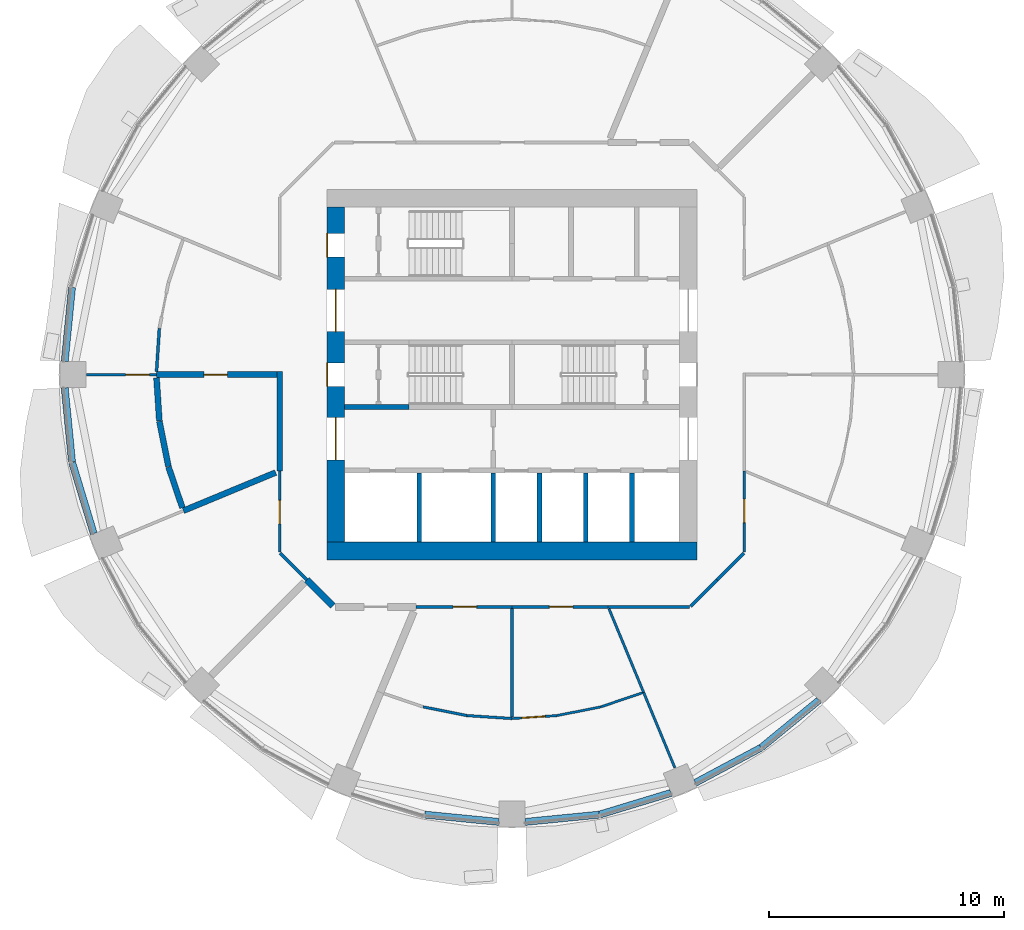
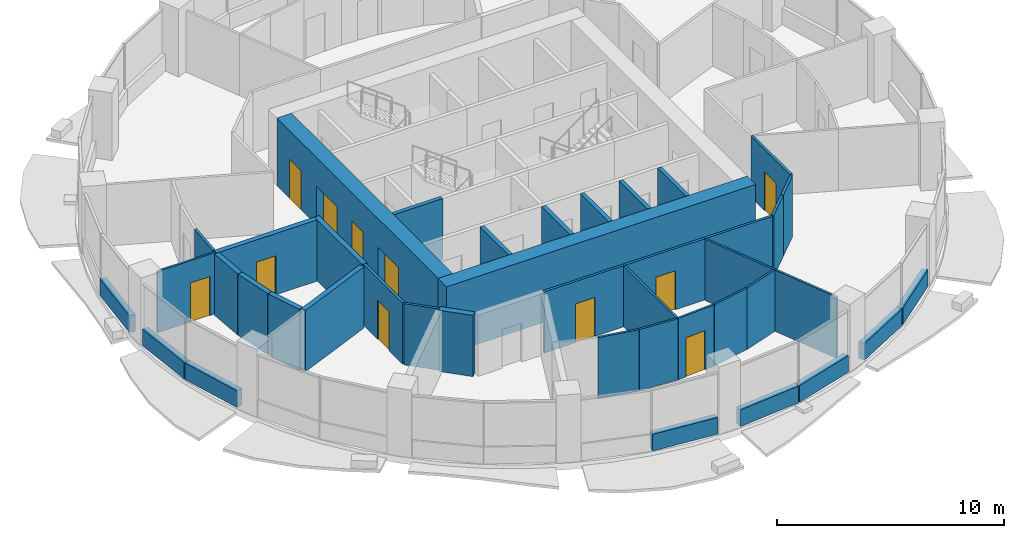
# One storey, part 7 of 14: 41 walls, 11 doors, 11 openings.
"""IFC4 building model written with IfcOpenShell, lengths in metres."""

from ifc_helpers import new_model, si_unit, direction, frame, frame_2d, origin, place, context, subcontext, project, spatial, rectangle, extrude, material, layer, layer_set, type_object, element, fill, save


model = new_model("IFC4")

# Units and contexts
model_context = context("Model", 3, precision=1e-05, world=origin(), true_north=direction((0.0, 1.0)))
body_context = subcontext(model_context, "Body", "Model", "MODEL_VIEW")
ifc_project = project(units=[si_unit("LENGTHUNIT", "METRE"), si_unit("AREAUNIT", "SQUARE_METRE"), si_unit("VOLUMEUNIT", "CUBIC_METRE"), si_unit("PLANEANGLEUNIT", "RADIAN"), si_unit("MASSUNIT", "GRAM", prefix="KILO")], contexts=[model_context])

# Site, building, storey
site_placement = place(None, origin())
site = spatial("IfcSite", under=ifc_project, at=site_placement, CompositionType="ELEMENT")
building_placement = place(site_placement, origin())
building = spatial("IfcBuilding", under=site, at=building_placement, Name="Polderwave Tower", CompositionType="ELEMENT")
storey_placement = place(building_placement, frame((0.0, 0.0, 94.64990234375)))
storey = spatial("IfcBuildingStorey", under=building, at=storey_placement, Name="L24", CompositionType="ELEMENT", Elevation=94.64990234375)

# Wall
ifc_material_1 = material(Name="Concrete C70/85", Category="concrete")
ifc_layer_1 = layer(ifc_material_1, 0.75)
ifc_layer_set_1 = layer_set([ifc_layer_1], Name="CORE WALL 750 C70/85")
wall_type_1 = type_object("IfcWallType", Name="CORE WALL 750 C70/85", PredefinedType="SHEAR", material=ifc_layer_set_1)
wall_1_placement = place(storey_placement, frame((-7.8740234375, -7.4990234375, 0.0), z_axis=(0.0, 0.0, 1.0), x_axis=(1.0, 0.0, 0.0)))
element("IfcWall", 1, at=wall_1_placement, inside=storey, type_object=wall_type_1, Name="ST-CORE-L24-S", PredefinedType="SHEAR", context=body_context, shape_type="SweptSolid", body=[
    extrude(rectangle(XDim=15.748046875, YDim=0.75, at=frame_2d((7.8740234375, 0.0))), origin(), (0.0, 0.0, 1.0), 3.650146484375),
])

# Wall, openings, doors
wall_2_placement = place(storey_placement, frame((-7.4990234375, -7.1240234375, 0.0), z_axis=(0.0, 0.0, 1.0), x_axis=(0.0, 1.0, 0.0)))
wall_2 = element("IfcWall", 2, at=wall_2_placement, inside=storey, type_object=wall_type_1, Name="ST-CORE-L24-W", PredefinedType="SHEAR", context=body_context, shape_type="SweptSolid", body=[
    extrude(rectangle(XDim=14.248046875, YDim=0.75, at=frame_2d((7.1240234375, 0.0))), origin(), (0.0, 0.0, 1.0), 3.650146484375),
])
opening_1_placement = place(wall_2_placement, frame((6.6240234375, 0.0, 0.0)))
opening_1 = element("IfcOpeningElement", 3, at=opening_1_placement, cuts=wall_2, Name="Opening L24-D17", PredefinedType="OPENING", context=body_context, shape_type="SweptSolid", body=[
    extrude(rectangle(XDim=1.0, YDim=2.10009765625, at=frame_2d((0.5, 1.050048828125))), frame((0.0, 0.385009765625, 0.0), z_axis=(0.0, -1.0, 0.0), x_axis=(1.0, 0.0, 0.0)), (0.0, 0.0, 1.0), 0.77001953125),
])
opening_2_placement = place(wall_2_placement, frame((3.49951171875, 0.0, 0.0)))
opening_2 = element("IfcOpeningElement", 4, at=opening_2_placement, cuts=wall_2, Name="Opening L24-D18", PredefinedType="OPENING", context=body_context, shape_type="SweptSolid", body=[
    extrude(rectangle(XDim=1.800048828125, YDim=2.10009765625, at=frame_2d((0.89990234375, 1.050048828125))), frame((0.0, 0.385009765625, 0.0), z_axis=(0.0, -1.0, 0.0), x_axis=(1.0, 0.0, 0.0)), (0.0, 0.0, 1.0), 0.77001953125),
])
opening_3_placement = place(wall_2_placement, frame((8.948486328125, 0.0, 0.0)))
opening_3 = element("IfcOpeningElement", 5, at=opening_3_placement, cuts=wall_2, Name="Opening L24-D19", PredefinedType="OPENING", context=body_context, shape_type="SweptSolid", body=[
    extrude(rectangle(XDim=1.800048828125, YDim=2.10009765625, at=frame_2d((0.89990234375, 1.050048828125))), frame((0.0, 0.385009765625, 0.0), z_axis=(0.0, -1.0, 0.0), x_axis=(1.0, 0.0, 0.0)), (0.0, 0.0, 1.0), 0.77001953125),
])
opening_4_placement = place(wall_2_placement, frame((12.1240234375, 0.0, 0.0)))
opening_4 = element("IfcOpeningElement", 6, at=opening_4_placement, cuts=wall_2, Name="Opening L24-D20", PredefinedType="OPENING", context=body_context, shape_type="SweptSolid", body=[
    extrude(rectangle(XDim=1.0, YDim=2.10009765625, at=frame_2d((0.5, 1.050048828125))), frame((0.0, 0.385009765625, 0.0), z_axis=(0.0, -1.0, 0.0), x_axis=(1.0, 0.0, 0.0)), (0.0, 0.0, 1.0), 0.77001953125),
])
ifc_material_2 = material(Name="Steel fire door", Category="steel")
door_type_1 = type_object("IfcDoorType", Name="Lobby entry door pair 1800", OperationType="DOUBLE_DOOR_SINGLE_SWING", PredefinedType="DOOR", material=ifc_material_2)
door_1_placement = place(opening_2_placement, origin())
door_1 = element("IfcDoor", 7, at=door_1_placement, inside=storey, type_object=door_type_1, Name="Fire-fighting lobby entry door", OperationType="DOUBLE_DOOR_SINGLE_SWING", OverallHeight=2.10009765625, OverallWidth=1.800048828125, PredefinedType="DOOR", context=body_context, shape_type="SweptSolid", body=[
    extrude(rectangle(XDim=1.800048828125, YDim=2.10009765625, at=frame_2d((0.89990234375, 1.050048828125))), frame((0.0, 0.02490234375, 0.0), z_axis=(0.0, -1.0, 0.0), x_axis=(1.0, 0.0, 0.0)), (0.0, 0.0, 1.0), 0.050048828125),
])
fill(opening_2, door_1)
door_2_placement = place(opening_3_placement, origin())
door_2 = element("IfcDoor", 8, at=door_2_placement, inside=storey, type_object=door_type_1, Name="North lobby entry door", OperationType="DOUBLE_DOOR_SINGLE_SWING", OverallHeight=2.10009765625, OverallWidth=1.800048828125, PredefinedType="DOOR", context=body_context, shape_type="SweptSolid", body=[
    extrude(rectangle(XDim=1.800048828125, YDim=2.10009765625, at=frame_2d((0.89990234375, 1.050048828125))), frame((0.0, 0.02490234375, 0.0), z_axis=(0.0, -1.0, 0.0), x_axis=(1.0, 0.0, 0.0)), (0.0, 0.0, 1.0), 0.050048828125),
])
fill(opening_3, door_2)
door_type_2 = type_object("IfcDoorType", Name="Stair door 1000", OperationType="NOTDEFINED", PredefinedType="DOOR", material=ifc_material_2)
door_3_placement = place(opening_1_placement, origin())
door_3 = element("IfcDoor", 9, at=door_3_placement, inside=storey, type_object=door_type_2, Name="Stair A entry door", OperationType="SINGLE_SWING_RIGHT", OverallHeight=2.10009765625, OverallWidth=1.0, PredefinedType="DOOR", context=body_context, shape_type="SweptSolid", body=[
    extrude(rectangle(XDim=1.0, YDim=2.10009765625, at=frame_2d((0.5, 1.050048828125))), frame((0.0, 0.375, 0.0), z_axis=(0.0, -1.0, 0.0), x_axis=(1.0, 0.0, 0.0)), (0.0, 0.0, 1.0), 0.050048828125),
])
fill(opening_1, door_3)
door_4_placement = place(opening_4_placement, origin())
door_4 = element("IfcDoor", 10, at=door_4_placement, inside=storey, type_object=door_type_2, Name="Stair C entry door", OperationType="SINGLE_SWING_RIGHT", OverallHeight=2.10009765625, OverallWidth=1.0, PredefinedType="DOOR", context=body_context, shape_type="SweptSolid", body=[
    extrude(rectangle(XDim=1.0, YDim=2.10009765625, at=frame_2d((0.5, 1.050048828125))), frame((0.0, 0.375, 0.0), z_axis=(0.0, -1.0, 0.0), x_axis=(1.0, 0.0, 0.0)), (0.0, 0.0, 1.0), 0.050048828125),
])
fill(opening_4, door_4)

# Walls
ifc_material_3 = material(Name="Insulated sandwich panel")
ifc_layer_2 = layer(ifc_material_3, 0.300048828125)
ifc_layer_set_2 = layer_set([ifc_layer_2], Name="Cold room wall 300 mm insulated panel")
wall_type_2 = type_object("IfcWallType", Name="Cold room wall 300 mm insulated panel", PredefinedType="PARTITIONING", material=ifc_layer_set_2)
wall_3_placement = place(storey_placement, frame((-7.614990234375, -9.830078125, 0.0), z_axis=(0.0, 0.0, 1.0), x_axis=(-0.707028841614, 0.70718471217, 0.0)))
element("IfcWall", 11, at=wall_3_placement, inside=storey, type_object=wall_type_2, Name="IN-L24-W016", PredefinedType="PARTITIONING", context=body_context, shape_type="SweptSolid", body=[
    extrude(rectangle(XDim=1.56640625, YDim=0.300048828125, at=frame_2d((0.783203125, 0.0))), origin(), (0.0, 0.0, 1.0), 3.300048828125),
])
ifc_material_4 = material(Name="Concrete C50/60 (board-marked)", Category="concrete")
ifc_layer_3 = layer(ifc_material_4, 0.300048828125)
ifc_layer_set_3 = layer_set([ifc_layer_3], Name="Concrete spandrel upstand C50/60")
wall_type_3 = type_object("IfcWallType", Name="Concrete spandrel upstand C50/60", PredefinedType="SOLIDWALL", material=ifc_layer_set_3)
for number, where, z_axis, x_axis, name in (
    (12, (-18.70556640625, 3.705078125, 0.0), (0.0, 0.0, 1.0), (-0.097849336863, -0.995201239587, 0.0), "Spandrel L24 8b"),
    (13, (-19.014404296875, -0.56396484375, 0.0), (0.0, 0.0, 1.0), (0.097849336863, -0.995201239587, 0.0), "Spandrel L24 9a"),
):
    element("IfcWall", number, at=place(storey_placement, frame(where, z_axis=z_axis, x_axis=x_axis)), inside=storey, type_object=wall_type_3, Name=name, PredefinedType="SOLIDWALL", context=body_context, shape_type="SweptSolid", body=[
        extrude(rectangle(XDim=3.15625, YDim=0.300048828125, at=frame_2d((1.578125, 0.0))), origin(), (0.0, 0.0, 1.0), 0.900146484375),
    ])
wall_4_placement = place(storey_placement, frame((-18.69970703125, -3.734375, 0.0), z_axis=(0.0, 0.0, 1.0), x_axis=(0.290503096001, -0.956874051907, 0.0)))
element("IfcWall", 14, at=wall_4_placement, inside=storey, type_object=wall_type_3, Name="Spandrel L24 9b", PredefinedType="SOLIDWALL", context=body_context, shape_type="SweptSolid", body=[
    extrude(rectangle(XDim=3.157470703125, YDim=0.300048828125, at=frame_2d((1.57861328125, 0.0))), origin(), (0.0, 0.0, 1.0), 0.900146484375),
])
for number, where, z_axis, x_axis, name in (
    (15, (-3.705078125, -18.70556640625, 0.0), (0.0, 0.0, 1.0), (0.995201239587, -0.097849336863, 0.0), "Spandrel L24 12b"),
    (16, (0.56396484375, -19.014404296875, 0.0), (0.0, 0.0, 1.0), (0.995201239587, 0.097849336863, 0.0), "Spandrel L24 13a"),
):
    element("IfcWall", number, at=place(storey_placement, frame(where, z_axis=z_axis, x_axis=x_axis)), inside=storey, type_object=wall_type_3, Name=name, PredefinedType="SOLIDWALL", context=body_context, shape_type="SweptSolid", body=[
        extrude(rectangle(XDim=3.15625, YDim=0.300048828125, at=frame_2d((1.578125, 0.0))), origin(), (0.0, 0.0, 1.0), 0.900146484375),
    ])
wall_5_placement = place(storey_placement, frame((3.734375, -18.69970703125, 0.0), z_axis=(0.0, 0.0, 1.0), x_axis=(0.956874051907, 0.290503096001, 0.0)))
element("IfcWall", 17, at=wall_5_placement, inside=storey, type_object=wall_type_3, Name="Spandrel L24 13b", PredefinedType="SOLIDWALL", context=body_context, shape_type="SweptSolid", body=[
    extrude(rectangle(XDim=3.157470703125, YDim=0.300048828125, at=frame_2d((1.57861328125, 0.0))), origin(), (0.0, 0.0, 1.0), 0.900146484375),
])
for number, where, z_axis, x_axis, name in (
    (18, (7.797119140625, -17.350830078125, 0.0), (0.0, 0.0, 1.0), (0.882005928597, 0.471238306932, 0.0), "Spandrel L24 14a"),
    (19, (10.606689453125, -15.846435546875, 0.0), (0.0, 0.0, 1.0), (0.773022810229, 0.63437822698, 0.0), "Spandrel L24 14b"),
):
    element("IfcWall", number, at=place(storey_placement, frame(where, z_axis=z_axis, x_axis=x_axis)), inside=storey, type_object=wall_type_3, Name=name, PredefinedType="SOLIDWALL", context=body_context, shape_type="SweptSolid", body=[
        extrude(rectangle(XDim=3.1572265625, YDim=0.300048828125, at=frame_2d((1.57861328125, 0.0))), origin(), (0.0, 0.0, 1.0), 0.900146484375),
    ])
ifc_material_5 = material(Name="Concrete C50/60", Category="concrete")
ifc_layer_4 = layer(ifc_material_5, 0.199951171875)
ifc_layer_set_4 = layer_set([ifc_layer_4], Name="Core web wall 200")
wall_type_4 = type_object("IfcWallType", Name="Core web wall 200", PredefinedType="SHEAR", material=ifc_layer_set_4)
wall_6_placement = place(storey_placement, frame((-7.1240234375, -1.375, 0.0), z_axis=(0.0, 0.0, 1.0), x_axis=(1.0, 0.0, 0.0)))
element("IfcWall", 20, at=wall_6_placement, inside=storey, type_object=wall_type_4, Name="L24 south stair wall 1", PredefinedType="SHEAR", context=body_context, shape_type="SweptSolid", body=[
    extrude(rectangle(XDim=2.75, YDim=0.199951171875, at=frame_2d((1.375, 0.0))), origin(), (0.0, 0.0, 1.0), 3.300048828125),
])
ifc_material_6 = material(Name="Fire-resisting board on steel studs", Category="steel")
ifc_layer_5 = layer(ifc_material_6, 0.125)
ifc_layer_set_5 = layer_set([ifc_layer_5], Name="Corridor wall 125 mm EI 60")
wall_type_5 = type_object("IfcWallType", Name="Corridor wall 125 mm EI 60", PredefinedType="PARTITIONING", material=ifc_layer_set_5)
wall_7_placement = place(storey_placement, frame((9.855712890625, -7.58935546875, 0.0), z_axis=(0.0, 0.0, 1.0), x_axis=(-0.70718294931, -0.707030604857, 0.0)))
element("IfcWall", 21, at=wall_7_placement, inside=storey, type_object=wall_type_5, Name="IN-L24-W003", PredefinedType="PARTITIONING", context=body_context, shape_type="SweptSolid", body=[
    extrude(rectangle(XDim=1.6025390625, YDim=0.125, at=frame_2d((0.80126953125, 0.0))), origin(), (0.0, 0.0, 1.0), 3.300048828125),
])

# Wall, opening, door
wall_8_placement = place(storey_placement, frame((9.8740234375, -4.08984375, 0.0), z_axis=(0.0, 0.0, 1.0), x_axis=(0.0, -1.0, 0.0)))
wall_8 = element("IfcWall", 22, at=wall_8_placement, inside=storey, type_object=wall_type_5, Name="IN-L24-W004", PredefinedType="PARTITIONING", context=body_context, shape_type="SweptSolid", body=[
    extrude(rectangle(XDim=3.455322265625, YDim=0.125, at=frame_2d((1.7275390625, 0.0))), origin(), (0.0, 0.0, 1.0), 3.300048828125),
])
opening_5_placement = place(wall_8_placement, frame((1.199951171875, 0.0, 0.0)))
opening_5 = element("IfcOpeningElement", 23, at=opening_5_placement, cuts=wall_8, Name="Opening L24-D51", PredefinedType="OPENING", context=body_context, shape_type="SweptSolid", body=[
    extrude(rectangle(XDim=1.0, YDim=2.10009765625, at=frame_2d((0.5, 1.050048828125))), frame((0.0, 0.072509765625, 0.0), z_axis=(0.0, -1.0, 0.0), x_axis=(1.0, 0.0, 0.0)), (0.0, 0.0, 1.0), 0.14501953125),
])
ifc_material_7 = material(Name="Timber fire door leaf", Category="wood")
door_type_3 = type_object("IfcDoorType", Name="Fire door FD30S 1000 x 2100", OperationType="NOTDEFINED", PredefinedType="DOOR", material=ifc_material_7)
door_5_placement = place(opening_5_placement, origin())
door_5 = element("IfcDoor", 24, at=door_5_placement, inside=storey, type_object=door_type_3, Name="Door L24-D51", OperationType="SINGLE_SWING_LEFT", OverallHeight=2.10009765625, OverallWidth=1.0, PredefinedType="DOOR", context=body_context, shape_type="SweptSolid", body=[
    extrude(rectangle(XDim=1.0, YDim=2.10009765625, at=frame_2d((0.5, 1.050048828125))), frame((0.0, 0.02490234375, 0.0), z_axis=(0.0, -1.0, 0.0), x_axis=(1.0, 0.0, 0.0)), (0.0, 0.0, 1.0), 0.050048828125),
])
fill(opening_5, door_5)

wall_9_placement = place(storey_placement, frame((-9.8740234375, -7.545166015625, 0.0), z_axis=(0.0, 0.0, 1.0), x_axis=(0.0, 1.0, 0.0)))
wall_9 = element("IfcWall", 25, at=wall_9_placement, inside=storey, type_object=wall_type_5, Name="IN-L24-W014", PredefinedType="PARTITIONING", context=body_context, shape_type="SweptSolid", body=[
    extrude(rectangle(XDim=3.455322265625, YDim=0.125, at=frame_2d((1.7275390625, 0.0))), origin(), (0.0, 0.0, 1.0), 3.300048828125),
])
opening_6_placement = place(wall_9_placement, frame((1.199951171875, 0.0, 0.0)))
opening_6 = element("IfcOpeningElement", 26, at=opening_6_placement, cuts=wall_9, Name="Opening L24-D55", PredefinedType="OPENING", context=body_context, shape_type="SweptSolid", body=[
    extrude(rectangle(XDim=1.0, YDim=2.10009765625, at=frame_2d((0.5, 1.050048828125))), frame((0.0, 0.072509765625, 0.0), z_axis=(0.0, -1.0, 0.0), x_axis=(1.0, 0.0, 0.0)), (0.0, 0.0, 1.0), 0.14501953125),
])
door_6_placement = place(opening_6_placement, origin())
door_6 = element("IfcDoor", 27, at=door_6_placement, inside=storey, type_object=door_type_3, Name="Door L24-D55", OperationType="SINGLE_SWING_LEFT", OverallHeight=2.10009765625, OverallWidth=1.0, PredefinedType="DOOR", context=body_context, shape_type="SweptSolid", body=[
    extrude(rectangle(XDim=1.0, YDim=2.10009765625, at=frame_2d((0.5, 1.050048828125))), frame((0.0, 0.02490234375, 0.0), z_axis=(0.0, -1.0, 0.0), x_axis=(1.0, 0.0, 0.0)), (0.0, 0.0, 1.0), 0.050048828125),
])
fill(opening_6, door_6)

# Wall
wall_10_placement = place(storey_placement, frame((-8.722412109375, -8.722412109375, 0.0), z_axis=(0.0, 0.0, 1.0), x_axis=(-0.70718294931, 0.707030604857, 0.0)))
element("IfcWall", 28, at=wall_10_placement, inside=storey, type_object=wall_type_5, Name="IN-L24-W015", PredefinedType="PARTITIONING", context=body_context, shape_type="SweptSolid", body=[
    extrude(rectangle(XDim=1.6025390625, YDim=0.125, at=frame_2d((0.80126953125, 0.0))), origin(), (0.0, 0.0, 1.0), 3.300048828125),
])

# Wall, opening, door
wall_11_placement = place(storey_placement, frame((0.0, -9.8740234375, 0.0), z_axis=(0.0, 0.0, 1.0), x_axis=(-1.0, 0.0, 0.0)))
wall_11 = element("IfcWall", 29, at=wall_11_placement, inside=storey, type_object=wall_type_5, Name="IN-L24-W018", PredefinedType="PARTITIONING", context=body_context, shape_type="SweptSolid", body=[
    extrude(rectangle(XDim=4.08984375, YDim=0.125, at=frame_2d((2.044921875, 0.0))), origin(), (0.0, 0.0, 1.0), 3.300048828125),
])
opening_7_placement = place(wall_11_placement, frame((1.5, 0.0, 0.0)))
opening_7 = element("IfcOpeningElement", 30, at=opening_7_placement, cuts=wall_11, Name="Opening L24-D57", PredefinedType="OPENING", context=body_context, shape_type="SweptSolid", body=[
    extrude(rectangle(XDim=1.0, YDim=2.10009765625, at=frame_2d((0.5, 1.050048828125))), frame((0.0, 0.072509765625, 0.0), z_axis=(0.0, -1.0, 0.0), x_axis=(1.0, 0.0, 0.0)), (0.0, 0.0, 1.0), 0.14501953125),
])
door_7_placement = place(opening_7_placement, origin())
door_7 = element("IfcDoor", 31, at=door_7_placement, inside=storey, type_object=door_type_3, Name="Door L24-D57", OperationType="SINGLE_SWING_LEFT", OverallHeight=2.10009765625, OverallWidth=1.0, PredefinedType="DOOR", context=body_context, shape_type="SweptSolid", body=[
    extrude(rectangle(XDim=1.0, YDim=2.10009765625, at=frame_2d((0.5, 1.050048828125))), frame((0.0, 0.02490234375, 0.0), z_axis=(0.0, -1.0, 0.0), x_axis=(1.0, 0.0, 0.0)), (0.0, 0.0, 1.0), 0.050048828125),
])
fill(opening_7, door_7)

wall_12_placement = place(storey_placement, frame((4.08984375, -9.8740234375, 0.0), z_axis=(0.0, 0.0, 1.0), x_axis=(-1.0, 0.0, 0.0)))
wall_12 = element("IfcWall", 32, at=wall_12_placement, inside=storey, type_object=wall_type_5, Name="IN-L24-W019", PredefinedType="PARTITIONING", context=body_context, shape_type="SweptSolid", body=[
    extrude(rectangle(XDim=4.08984375, YDim=0.125, at=frame_2d((2.044921875, 0.0))), origin(), (0.0, 0.0, 1.0), 3.300048828125),
])
opening_8_placement = place(wall_12_placement, frame((1.5, 0.0, 0.0)))
opening_8 = element("IfcOpeningElement", 33, at=opening_8_placement, cuts=wall_12, Name="Opening L24-D58", PredefinedType="OPENING", context=body_context, shape_type="SweptSolid", body=[
    extrude(rectangle(XDim=1.0, YDim=2.10009765625, at=frame_2d((0.5, 1.050048828125))), frame((0.0, 0.072509765625, 0.0), z_axis=(0.0, -1.0, 0.0), x_axis=(1.0, 0.0, 0.0)), (0.0, 0.0, 1.0), 0.14501953125),
])
door_8_placement = place(opening_8_placement, origin())
door_8 = element("IfcDoor", 34, at=door_8_placement, inside=storey, type_object=door_type_3, Name="Door L24-D58", OperationType="SINGLE_SWING_LEFT", OverallHeight=2.10009765625, OverallWidth=1.0, PredefinedType="DOOR", context=body_context, shape_type="SweptSolid", body=[
    extrude(rectangle(XDim=1.0, YDim=2.10009765625, at=frame_2d((0.5, 1.050048828125))), frame((0.0, 0.02490234375, 0.0), z_axis=(0.0, -1.0, 0.0), x_axis=(1.0, 0.0, 0.0)), (0.0, 0.0, 1.0), 0.050048828125),
])
fill(opening_8, door_8)

# Walls
wall_13_placement = place(storey_placement, frame((7.545166015625, -9.8740234375, 0.0), z_axis=(0.0, 0.0, 1.0), x_axis=(-1.0, 0.0, 0.0)))
element("IfcWall", 35, at=wall_13_placement, inside=storey, type_object=wall_type_5, Name="IN-L24-W020", PredefinedType="PARTITIONING", context=body_context, shape_type="SweptSolid", body=[
    extrude(rectangle(XDim=3.455322265625, YDim=0.125, at=frame_2d((1.7275390625, 0.0))), origin(), (0.0, 0.0, 1.0), 3.300048828125),
])
wall_14_placement = place(storey_placement, frame((8.722412109375, -8.722412109375, 0.0), z_axis=(0.0, 0.0, 1.0), x_axis=(-0.707030604857, -0.70718294931, 0.0)))
element("IfcWall", 36, at=wall_14_placement, inside=storey, type_object=wall_type_5, Name="IN-L24-W021", PredefinedType="PARTITIONING", context=body_context, shape_type="SweptSolid", body=[
    extrude(rectangle(XDim=1.6025390625, YDim=0.125, at=frame_2d((0.80126953125, 0.0))), origin(), (0.0, 0.0, 1.0), 3.300048828125),
])
wall_15_placement = place(storey_placement, frame((-15.111572265625, 0.129150390625, 0.0), z_axis=(0.0, 0.0, 1.0), x_axis=(0.065394347625, 0.997859498777, 0.0)))
element("IfcWall", 37, at=wall_15_placement, inside=storey, type_object=wall_type_5, Name="IN-L24-W043", PredefinedType="PARTITIONING", context=body_context, shape_type="SweptSolid", body=[
    extrude(rectangle(XDim=1.84423828125, YDim=0.125, at=frame_2d((0.922119140625, 0.0))), origin(), (0.0, 0.0, 1.0), 3.300048828125),
])

# Wall, opening, door
ifc_material_8 = material(Name="Plasterboard on steel studs", Category="steel")
ifc_layer_6 = layer(ifc_material_8, 0.10009765625)
ifc_layer_set_6 = layer_set([ifc_layer_6], Name="Partition 100 mm plasterboard on steel studs")
wall_type_6 = type_object("IfcWallType", Name="Partition 100 mm plasterboard on steel studs", PredefinedType="PARTITIONING", material=ifc_layer_set_6)
wall_16_placement = place(storey_placement, frame((-15.1201171875, 0.0, 0.0), z_axis=(0.0, 0.0, 1.0), x_axis=(-1.0, 0.0, 0.0)))
wall_16 = element("IfcWall", 38, at=wall_16_placement, inside=storey, type_object=wall_type_6, Name="IN-L24-W047", PredefinedType="PARTITIONING", context=body_context, shape_type="SweptSolid", body=[
    extrude(rectangle(XDim=2.969970703125, YDim=0.10009765625, at=frame_2d((1.48486328125, 0.0))), origin(), (0.0, 0.0, 1.0), 3.300048828125),
])
opening_9_placement = place(wall_16_placement, frame((0.300048828125, 0.0, 0.0)))
opening_9 = element("IfcOpeningElement", 39, at=opening_9_placement, cuts=wall_16, Name="Opening L24-D65", PredefinedType="OPENING", context=body_context, shape_type="SweptSolid", body=[
    extrude(rectangle(XDim=1.0, YDim=2.10009765625, at=frame_2d((0.5, 1.050048828125))), frame((0.0, 0.06005859375, 0.0), z_axis=(0.0, -1.0, 0.0), x_axis=(1.0, 0.0, 0.0)), (0.0, 0.0, 1.0), 0.1201171875),
])
ifc_material_9 = material(Name="Timber veneer door leaf", Category="wood")
door_type_4 = type_object("IfcDoorType", Name="Single door 1000 x 2100", OperationType="NOTDEFINED", PredefinedType="DOOR", material=ifc_material_9)
door_9_placement = place(opening_9_placement, origin())
door_9 = element("IfcDoor", 40, at=door_9_placement, inside=storey, type_object=door_type_4, Name="Door L24-D65", OperationType="SINGLE_SWING_LEFT", OverallHeight=2.10009765625, OverallWidth=1.0, PredefinedType="DOOR", context=body_context, shape_type="SweptSolid", body=[
    extrude(rectangle(XDim=1.0, YDim=2.10009765625, at=frame_2d((0.5, 1.050048828125))), frame((0.0, 0.02490234375, 0.0), z_axis=(0.0, -1.0, 0.0), x_axis=(1.0, 0.0, 0.0)), (0.0, 0.0, 1.0), 0.050048828125),
])
fill(opening_9, door_9)

wall_17_placement = place(storey_placement, frame((1.905029296875, -14.4951171875, 0.0), z_axis=(0.0, 0.0, 1.0), x_axis=(-0.997854210562, -0.065474991133, 0.0)))
wall_17 = element("IfcWall", 41, at=wall_17_placement, inside=storey, type_object=wall_type_6, Name="IN-L24-W060", PredefinedType="PARTITIONING", context=body_context, shape_type="SweptSolid", body=[
    extrude(rectangle(XDim=1.9091796875, YDim=0.10009765625, at=frame_2d((0.95458984375, 0.0))), origin(), (0.0, 0.0, 1.0), 3.300048828125),
])
opening_10_placement = place(wall_17_placement, frame((0.5, 0.0, 0.0)))
opening_10 = element("IfcOpeningElement", 42, at=opening_10_placement, cuts=wall_17, Name="Opening L24-D66", PredefinedType="OPENING", context=body_context, shape_type="SweptSolid", body=[
    extrude(rectangle(XDim=1.0, YDim=2.10009765625, at=frame_2d((0.5, 1.050048828125))), frame((0.0, 0.06005859375, 0.0), z_axis=(0.0, -1.0, 0.0), x_axis=(1.0, 0.0, 0.0)), (0.0, 0.0, 1.0), 0.1201171875),
])
door_10_placement = place(opening_10_placement, origin())
door_10 = element("IfcDoor", 43, at=door_10_placement, inside=storey, type_object=door_type_4, Name="Door L24-D66", OperationType="SINGLE_SWING_RIGHT", OverallHeight=2.10009765625, OverallWidth=1.0, PredefinedType="DOOR", context=body_context, shape_type="SweptSolid", body=[
    extrude(rectangle(XDim=1.0, YDim=2.10009765625, at=frame_2d((0.5, 1.050048828125))), frame((0.0, 0.02490234375, 0.0), z_axis=(0.0, -1.0, 0.0), x_axis=(1.0, 0.0, 0.0)), (0.0, 0.0, 1.0), 0.050048828125),
])
fill(opening_10, door_10)

# Walls
wall_18_placement = place(storey_placement, frame((1.91162109375, -14.494384765625, 0.0), z_axis=(0.0, 0.0, 1.0), x_axis=(0.980757648215, 0.195229187027, 0.0)))
element("IfcWall", 44, at=wall_18_placement, inside=storey, type_object=wall_type_6, Name="IN-L24-W061", PredefinedType="PARTITIONING", context=body_context, shape_type="SweptSolid", body=[
    extrude(rectangle(XDim=1.90576171875, YDim=0.10009765625, at=frame_2d((0.952880859375, 0.0))), origin(), (0.0, 0.0, 1.0), 3.300048828125),
])
wall_19_placement = place(storey_placement, frame((3.787109375, -14.12060546875, 0.0), z_axis=(0.0, 0.0, 1.0), x_axis=(0.946970110486, 0.321321661029, 0.0)))
element("IfcWall", 45, at=wall_19_placement, inside=storey, type_object=wall_type_6, Name="IN-L24-W062", PredefinedType="PARTITIONING", context=body_context, shape_type="SweptSolid", body=[
    extrude(rectangle(XDim=1.853271484375, YDim=0.10009765625, at=frame_2d((0.9267578125, 0.0))), origin(), (0.0, 0.0, 1.0), 3.300048828125),
])
ifc_material_10 = material(Name="Moisture-resistant board on steel studs, tiled", Category="steel")
ifc_layer_7 = layer(ifc_material_10, 0.10498046875)
ifc_layer_set_7 = layer_set([ifc_layer_7], Name="Partition 105 mm wet room board and tile")
wall_type_7 = type_object("IfcWallType", Name="Partition 105 mm wet room board and tile", PredefinedType="PARTITIONING", material=ifc_layer_set_7)
wall_20_placement = place(storey_placement, frame((5.5947265625, -13.507080078125, 0.0), z_axis=(0.0, 0.0, 1.0), x_axis=(0.382681133009, -0.923880484932, 0.0)))
element("IfcWall", 46, at=wall_20_placement, inside=storey, type_object=wall_type_7, Name="IN-L24-W063", PredefinedType="PARTITIONING", context=body_context, shape_type="SweptSolid", body=[
    extrude(rectangle(XDim=3.469970703125, YDim=0.10498046875, at=frame_2d((1.73486328125, 0.0))), origin(), (0.0, 0.0, 1.0), 3.300048828125),
])
wall_21_placement = place(storey_placement, frame((4.1240234375, -9.95654296875, 0.0), z_axis=(0.0, 0.0, 1.0), x_axis=(0.382688429768, -0.923877462503, 0.0)))
element("IfcWall", 47, at=wall_21_placement, inside=storey, type_object=wall_type_7, Name="IN-L24-W064", PredefinedType="PARTITIONING", context=body_context, shape_type="SweptSolid", body=[
    extrude(rectangle(XDim=3.843017578125, YDim=0.10498046875, at=frame_2d((1.92138671875, 0.0))), origin(), (0.0, 0.0, 1.0), 3.300048828125),
])
ifc_material_11 = material(Name="Acoustic double plasterboard on steel studs", Category="steel")
ifc_layer_8 = layer(ifc_material_11, 0.110107421875)
ifc_layer_set_8 = layer_set([ifc_layer_8], Name="Partition 110 mm acoustic double board")
wall_type_8 = type_object("IfcWallType", Name="Partition 110 mm acoustic double board", PredefinedType="PARTITIONING", material=ifc_layer_set_8)
wall_22_placement = place(storey_placement, frame((-1.911865234375, -14.494140625, 0.0), z_axis=(0.0, 0.0, 1.0), x_axis=(-0.980796931486, 0.195031738924, 0.0)))
element("IfcWall", 48, at=wall_22_placement, inside=storey, type_object=wall_type_8, Name="IN-L24-W057", PredefinedType="PARTITIONING", context=body_context, shape_type="SweptSolid", body=[
    extrude(rectangle(XDim=1.9052734375, YDim=0.110107421875, at=frame_2d((0.95263671875, 0.0))), origin(), (0.0, 0.0, 1.0), 3.300048828125),
])
wall_23_placement = place(storey_placement, frame((0.0, -14.6201171875, 0.0), z_axis=(0.0, 0.0, 1.0), x_axis=(-0.997853662235, 0.065483347227, 0.0)))
element("IfcWall", 49, at=wall_23_placement, inside=storey, type_object=wall_type_8, Name="IN-L24-W058", PredefinedType="PARTITIONING", context=body_context, shape_type="SweptSolid", body=[
    extrude(rectangle(XDim=1.908935546875, YDim=0.110107421875, at=frame_2d((0.95458984375, 0.0))), origin(), (0.0, 0.0, 1.0), 3.300048828125),
])
wall_24_placement = place(storey_placement, frame((0.0, -9.9365234375, 0.0), z_axis=(0.0, 0.0, 1.0), x_axis=(0.0, -1.0, 0.0)))
element("IfcWall", 50, at=wall_24_placement, inside=storey, type_object=wall_type_8, Name="IN-L24-W059", PredefinedType="PARTITIONING", context=body_context, shape_type="SweptSolid", body=[
    extrude(rectangle(XDim=4.624755859375, YDim=0.110107421875, at=frame_2d((2.3125, 0.0))), origin(), (0.0, 0.0, 1.0), 3.300048828125),
])
ifc_material_12 = material(Name="Fire-resisting board on steel studs, mineral wool", Category="steel")
ifc_layer_9 = layer(ifc_material_12, 0.25)
ifc_layer_set_9 = layer_set([ifc_layer_9], Name="Plant room wall 250 mm EI 120")
wall_type_9 = type_object("IfcWallType", Name="Plant room wall 250 mm EI 120", PredefinedType="PARTITIONING", material=ifc_layer_set_9)
wall_25_placement = place(storey_placement, frame((-9.8740234375, -4.08984375, 0.0), z_axis=(0.0, 0.0, 1.0), x_axis=(0.0, 1.0, 0.0)))
element("IfcWall", 51, at=wall_25_placement, inside=storey, type_object=wall_type_9, Name="IN-L24-W013", PredefinedType="PARTITIONING", context=body_context, shape_type="SweptSolid", body=[
    extrude(rectangle(XDim=4.21484375, YDim=0.25, at=frame_2d((2.107421875, 0.0))), origin(), (0.0, 0.0, 1.0), 3.300048828125),
])

# Wall, opening, door
wall_26_placement = place(storey_placement, frame((-9.9990234375, 0.0, 0.0), z_axis=(0.0, 0.0, 1.0), x_axis=(-1.0, 0.0, 0.0)))
wall_26 = element("IfcWall", 52, at=wall_26_placement, inside=storey, type_object=wall_type_9, Name="IN-L24-W046", PredefinedType="PARTITIONING", context=body_context, shape_type="SweptSolid", body=[
    extrude(rectangle(XDim=5.12109375, YDim=0.25, at=frame_2d((2.560546875, 0.0))), origin(), (0.0, 0.0, 1.0), 3.300048828125),
])
opening_11_placement = place(wall_26_placement, frame((2.10009765625, 0.0, 0.0)))
opening_11 = element("IfcOpeningElement", 53, at=opening_11_placement, cuts=wall_26, Name="Opening L24-D64", PredefinedType="OPENING", context=body_context, shape_type="SweptSolid", body=[
    extrude(rectangle(XDim=1.0, YDim=2.10009765625, at=frame_2d((0.5, 1.050048828125))), frame((0.0, 0.135009765625, 0.0), z_axis=(0.0, -1.0, 0.0), x_axis=(1.0, 0.0, 0.0)), (0.0, 0.0, 1.0), 0.27001953125),
])
ifc_material_13 = material(Name="Steel plant door leaf", Category="steel")
door_type_5 = type_object("IfcDoorType", Name="Plant door FD60 1000 x 2100 steel", OperationType="NOTDEFINED", PredefinedType="DOOR", material=ifc_material_13)
door_11_placement = place(opening_11_placement, origin())
door_11 = element("IfcDoor", 54, at=door_11_placement, inside=storey, type_object=door_type_5, Name="Door L24-D64", OperationType="SINGLE_SWING_RIGHT", OverallHeight=2.10009765625, OverallWidth=1.0, PredefinedType="DOOR", context=body_context, shape_type="SweptSolid", body=[
    extrude(rectangle(XDim=1.0, YDim=2.10009765625, at=frame_2d((0.5, 1.050048828125))), frame((0.0, 0.02490234375, 0.0), z_axis=(0.0, -1.0, 0.0), x_axis=(1.0, 0.0, 0.0)), (0.0, 0.0, 1.0), 0.050048828125),
])
fill(opening_11, door_11)

# Walls
wall_27_placement = place(storey_placement, frame((-15.111328125, -0.13330078125, 0.0), z_axis=(0.0, 0.0, 1.0), x_axis=(0.065424560105, -0.997857518354, 0.0)))
element("IfcWall", 55, at=wall_27_placement, inside=storey, type_object=wall_type_9, Name="IN-L24-W048", PredefinedType="PARTITIONING", context=body_context, shape_type="SweptSolid", body=[
    extrude(rectangle(XDim=1.8359375, YDim=0.25, at=frame_2d((0.91796875, 0.0))), origin(), (0.0, 0.0, 1.0), 3.300048828125),
])
wall_28_placement = place(storey_placement, frame((-14.989013671875, -1.981689453125, 0.0), z_axis=(0.0, 0.0, 1.0), x_axis=(0.195062715887, -0.9807907712, 0.0)))
element("IfcWall", 56, at=wall_28_placement, inside=storey, type_object=wall_type_9, Name="IN-L24-W049", PredefinedType="PARTITIONING", context=body_context, shape_type="SweptSolid", body=[
    extrude(rectangle(XDim=1.961181640625, YDim=0.25, at=frame_2d((0.98046875, 0.0))), origin(), (0.0, 0.0, 1.0), 3.300048828125),
])
wall_29_placement = place(storey_placement, frame((-14.602294921875, -3.921142578125, 0.0), z_axis=(0.0, 0.0, 1.0), x_axis=(0.321528438759, -0.946899922415, 0.0)))
element("IfcWall", 57, at=wall_29_placement, inside=storey, type_object=wall_type_9, Name="IN-L24-W050", PredefinedType="PARTITIONING", context=body_context, shape_type="SweptSolid", body=[
    extrude(rectangle(XDim=1.8359375, YDim=0.25, at=frame_2d((0.91796875, 0.0))), origin(), (0.0, 0.0, 1.0), 3.300048828125),
])
wall_30_placement = place(storey_placement, frame((-10.046875, -4.16162109375, 0.0), z_axis=(0.0, 0.0, 1.0), x_axis=(-0.923886463326, -0.382666699469, 0.0)))
element("IfcWall", 58, at=wall_30_placement, inside=storey, type_object=wall_type_9, Name="IN-L24-W052", PredefinedType="PARTITIONING", context=body_context, shape_type="SweptSolid", body=[
    extrude(rectangle(XDim=4.245361328125, YDim=0.25, at=frame_2d((2.12255859375, 0.0))), origin(), (0.0, 0.0, 1.0), 3.300048828125),
])
ifc_material_14 = material(Name="Gypsum shaft wall system")
ifc_layer_10 = layer(ifc_material_14, 0.199951171875)
ifc_layer_set_10 = layer_set([ifc_layer_10], Name="Shaft wall 200")
wall_type_10 = type_object("IfcWallType", Name="Shaft wall 200", PredefinedType="PARTITIONING", material=ifc_layer_set_10)
for number, where, z_axis, x_axis, name in (
    (59, (-3.93701171875, -7.1240234375, 0.0), (0.0, 0.0, 1.0), (0.0, 1.0, 0.0), "L24 fire-fighting shaft wall 1"),
    (60, (-0.800048828125, -7.1240234375, 0.0), (0.0, 0.0, 1.0), (0.0, 1.0, 0.0), "L24 fire-fighting shaft wall 2"),
    (61, (1.16845703125, -7.1240234375, 0.0), (0.0, 0.0, 1.0), (0.0, 1.0, 0.0), "L24 lift shaft wall 1"),
    (62, (3.136962890625, -7.1240234375, 0.0), (0.0, 0.0, 1.0), (0.0, 1.0, 0.0), "L24 lift shaft wall 2"),
    (63, (5.10546875, -7.1240234375, 0.0), (0.0, 0.0, 1.0), (0.0, 1.0, 0.0), "L24 lift shaft wall 3"),
):
    element("IfcWall", number, at=place(storey_placement, frame(where, z_axis=z_axis, x_axis=x_axis)), inside=storey, type_object=wall_type_10, Name=name, PredefinedType="PARTITIONING", context=body_context, shape_type="SweptSolid", body=[
        extrude(rectangle(XDim=2.949951171875, YDim=0.199951171875, at=frame_2d((1.47509765625, 0.0))), origin(), (0.0, 0.0, 1.0), 3.300048828125),
    ])

save(model, "model.ifc")
